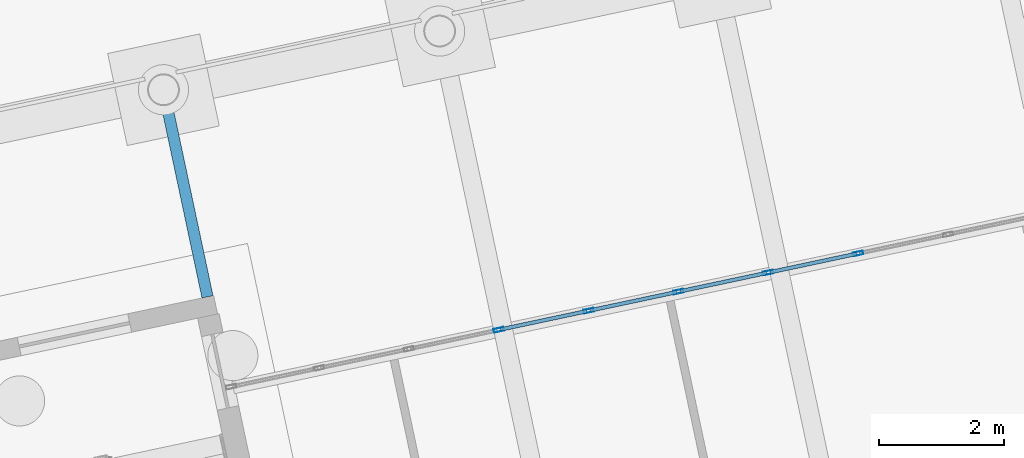
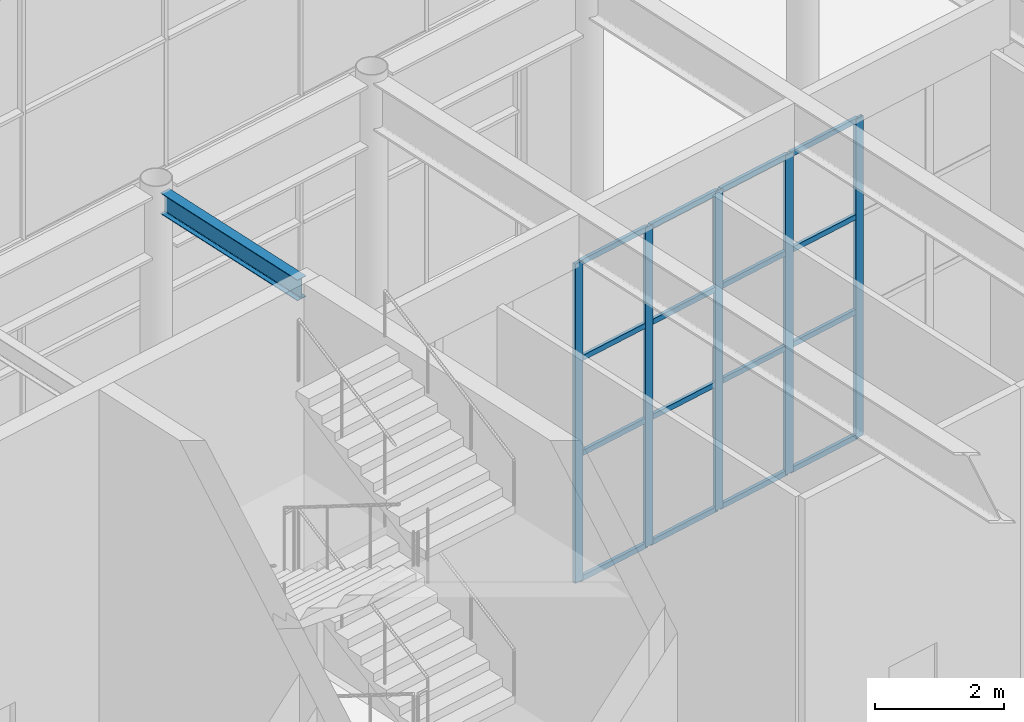
# One storey, part 108 of 239: 21 members, 1 beam, 1 element without a shape of its own.
"""IFC4 building model written with IfcOpenShell, lengths in metres."""

from ifc_helpers import new_model, si_unit, direction, frame, origin, origin_2d, place, context, subcontext, project, spatial, hollow_rectangle, i_section, extrude, material, material_profile, profile_set, type_object, element, aggregate, save


model = new_model("IFC4")

# Units and contexts
model_context = context("Model", 3, precision=1e-05, world=origin(), true_north=direction((0.0, 1.0)))
body_context = subcontext(model_context, "Body", "Model", "MODEL_VIEW")
ifc_project = project(units=[si_unit("LENGTHUNIT", "METRE"), si_unit("AREAUNIT", "SQUARE_METRE"), si_unit("VOLUMEUNIT", "CUBIC_METRE"), si_unit("PLANEANGLEUNIT", "RADIAN"), si_unit("MASSUNIT", "GRAM", prefix="KILO")], contexts=[model_context])

# Site, building, storey
site_placement = place(None, origin())
site = spatial("IfcSite", under=ifc_project, at=site_placement, CompositionType="ELEMENT")
building_placement = place(site_placement, origin())
building = spatial("IfcBuilding", under=site, at=building_placement, Name="Okhra Congress Centre", CompositionType="ELEMENT")
storey_placement = place(building_placement, origin())
storey = spatial("IfcBuildingStorey", under=building, at=storey_placement, Name="L00", CompositionType="ELEMENT", Elevation=0.0)

# Curtain wall, members
ifc_material_1 = material(Name="Aluminium curtain wall, triple glazing", Category="aluminium")
curtain_wall_type = type_object("IfcCurtainWallType", Name="Curtain wall 1500 module", PredefinedType="NOTDEFINED", material=ifc_material_1)
curtain_wall_placement = place(storey_placement, origin())
curtain_wall = element("IfcCurtainWall", 1, at=curtain_wall_placement, inside=storey, type_object=curtain_wall_type, Name="Ground curtain wall N10", PredefinedType="NOTDEFINED")
ifc_material_2 = material(Name="Aluminium alloy EN AW-6063 T66", Category="aluminium")
ifc_material_profile_1 = material_profile(ifc_material_2, hollow_rectangle(XDim=0.06005859375, YDim=0.159912109375, WallThickness=0.00390625, at=origin_2d()), Name="RHS 60x160x4")
ifc_profile_set_1 = profile_set([ifc_material_profile_1], Name="Aluminium alloy EN AW-6063 T66")
member_type_1 = type_object("IfcMemberType", Name="Curtain wall mullion 60x160", PredefinedType="MULLION", material=ifc_profile_set_1)
member_1_placement = place(storey_placement, frame((184.6123046875, 72.654296875, 0.0), z_axis=(0.0, 0.0, 1.0), x_axis=(-0.207911690818, 0.978147600734, 0.0)))
member_1 = element("IfcMember", 2, at=member_1_placement, type_object=member_type_1, Name="CW7 mullion 4", PredefinedType="MULLION", context=body_context, shape_type="SweptSolid", body=[
    extrude(hollow_rectangle(XDim=0.06005859375, YDim=0.159912109375, WallThickness=0.00390625, at=origin_2d()), origin(), (0.0, 0.0, 1.0), 6.050048828125),
])
member_2_placement = place(storey_placement, frame((186.044189453125, 72.95849609375, 0.0), z_axis=(0.0, 0.0, 1.0), x_axis=(-0.207911690818, 0.978147600734, 0.0)))
member_2 = element("IfcMember", 3, at=member_2_placement, type_object=member_type_1, Name="CW7 mullion 5", PredefinedType="MULLION", context=body_context, shape_type="SweptSolid", body=[
    extrude(hollow_rectangle(XDim=0.06005859375, YDim=0.159912109375, WallThickness=0.00390625, at=origin_2d()), origin(), (0.0, 0.0, 1.0), 6.050048828125),
])
member_3_placement = place(storey_placement, frame((187.476318359375, 73.262939453125, 0.0), z_axis=(0.0, 0.0, 1.0), x_axis=(-0.207911690818, 0.978147600734, 0.0)))
member_3 = element("IfcMember", 4, at=member_3_placement, type_object=member_type_1, Name="CW7 mullion 6", PredefinedType="MULLION", context=body_context, shape_type="SweptSolid", body=[
    extrude(hollow_rectangle(XDim=0.06005859375, YDim=0.159912109375, WallThickness=0.00390625, at=origin_2d()), origin(), (0.0, 0.0, 1.0), 6.050048828125),
])
member_4_placement = place(storey_placement, frame((188.908203125, 73.5673828125, 0.0), z_axis=(0.0, 0.0, 1.0), x_axis=(-0.207911690818, 0.978147600734, 0.0)))
member_4 = element("IfcMember", 5, at=member_4_placement, type_object=member_type_1, Name="CW7 mullion 7", PredefinedType="MULLION", context=body_context, shape_type="SweptSolid", body=[
    extrude(hollow_rectangle(XDim=0.06005859375, YDim=0.159912109375, WallThickness=0.00390625, at=origin_2d()), origin(), (0.0, 0.0, 1.0), 6.050048828125),
])
member_5_placement = place(storey_placement, frame((190.34033203125, 73.871826171875, 0.0), z_axis=(0.0, 0.0, 1.0), x_axis=(-0.207911690818, 0.978147600734, 0.0)))
member_5 = element("IfcMember", 6, at=member_5_placement, type_object=member_type_1, Name="CW7 mullion 8", PredefinedType="MULLION", context=body_context, shape_type="SweptSolid", body=[
    extrude(hollow_rectangle(XDim=0.06005859375, YDim=0.159912109375, WallThickness=0.00390625, at=origin_2d()), origin(), (0.0, 0.0, 1.0), 6.050048828125),
])
ifc_material_profile_2 = material_profile(ifc_material_2, hollow_rectangle(XDim=0.06005859375, YDim=0.10009765625, WallThickness=0.00390625, at=origin_2d()), Name="RHS 60x100x4")
ifc_profile_set_2 = profile_set([ifc_material_profile_2], Name="Aluminium alloy EN AW-6063 T66")
member_type_2 = type_object("IfcMemberType", Name="Curtain wall transom 60x100", PredefinedType="USERDEFINED", material=ifc_profile_set_2)
member_6_placement = place(storey_placement, frame((184.6416015625, 72.660400390625, 0.030029296875), z_axis=(0.978134537503, 0.207973138996, 0.0), x_axis=(-0.207973138996, 0.978134537503, 0.0)))
member_6 = element("IfcMember", 7, at=member_6_placement, type_object=member_type_2, Name="CW7 transom 4.1", ObjectType="TRANSOM", PredefinedType="USERDEFINED", context=body_context, shape_type="SweptSolid", body=[
    extrude(hollow_rectangle(XDim=0.06005859375, YDim=0.10009765625, WallThickness=0.00390625, at=origin_2d()), origin(), (0.0, 0.0, 1.0), 1.404052734375),
])
member_7_placement = place(storey_placement, frame((184.6416015625, 72.660400390625, 2.39990234375), z_axis=(0.978134537503, 0.207973138996, 0.0), x_axis=(-0.207973138996, 0.978134537503, 0.0)))
member_7 = element("IfcMember", 8, at=member_7_placement, type_object=member_type_2, Name="CW7 transom 4.2", ObjectType="TRANSOM", PredefinedType="USERDEFINED", context=body_context, shape_type="SweptSolid", body=[
    extrude(hollow_rectangle(XDim=0.06005859375, YDim=0.10009765625, WallThickness=0.00390625, at=origin_2d()), origin(), (0.0, 0.0, 1.0), 1.404052734375),
])
member_8_placement = place(storey_placement, frame((184.6416015625, 72.660400390625, 4.199951171875), z_axis=(0.978134537503, 0.207973138996, 0.0), x_axis=(-0.207973138996, 0.978134537503, 0.0)))
member_8 = element("IfcMember", 9, at=member_8_placement, type_object=member_type_2, Name="CW7 transom 4.3", ObjectType="TRANSOM", PredefinedType="USERDEFINED", context=body_context, shape_type="SweptSolid", body=[
    extrude(hollow_rectangle(XDim=0.06005859375, YDim=0.10009765625, WallThickness=0.00390625, at=origin_2d()), origin(), (0.0, 0.0, 1.0), 1.404052734375),
])
member_9_placement = place(storey_placement, frame((184.6416015625, 72.660400390625, 6.02001953125), z_axis=(0.978134537503, 0.207973138996, 0.0), x_axis=(-0.207973138996, 0.978134537503, 0.0)))
member_9 = element("IfcMember", 10, at=member_9_placement, type_object=member_type_2, Name="CW7 transom 4.4", ObjectType="TRANSOM", PredefinedType="USERDEFINED", context=body_context, shape_type="SweptSolid", body=[
    extrude(hollow_rectangle(XDim=0.06005859375, YDim=0.10009765625, WallThickness=0.00390625, at=origin_2d()), origin(), (0.0, 0.0, 1.0), 1.404052734375),
])
member_10_placement = place(storey_placement, frame((186.07373046875, 72.96484375, 0.030029296875), z_axis=(0.978134537503, 0.207973138996, 0.0), x_axis=(-0.207973138996, 0.978134537503, 0.0)))
member_10 = element("IfcMember", 11, at=member_10_placement, type_object=member_type_2, Name="CW7 transom 5.1", ObjectType="TRANSOM", PredefinedType="USERDEFINED", context=body_context, shape_type="SweptSolid", body=[
    extrude(hollow_rectangle(XDim=0.06005859375, YDim=0.10009765625, WallThickness=0.00390625, at=origin_2d()), origin(), (0.0, 0.0, 1.0), 1.404052734375),
])
member_11_placement = place(storey_placement, frame((186.07373046875, 72.96484375, 2.39990234375), z_axis=(0.978134537503, 0.207973138996, 0.0), x_axis=(-0.207973138996, 0.978134537503, 0.0)))
member_11 = element("IfcMember", 12, at=member_11_placement, type_object=member_type_2, Name="CW7 transom 5.2", ObjectType="TRANSOM", PredefinedType="USERDEFINED", context=body_context, shape_type="SweptSolid", body=[
    extrude(hollow_rectangle(XDim=0.06005859375, YDim=0.10009765625, WallThickness=0.00390625, at=origin_2d()), origin(), (0.0, 0.0, 1.0), 1.404052734375),
])
member_12_placement = place(storey_placement, frame((186.07373046875, 72.96484375, 4.199951171875), z_axis=(0.978134537503, 0.207973138996, 0.0), x_axis=(-0.207973138996, 0.978134537503, 0.0)))
member_12 = element("IfcMember", 13, at=member_12_placement, type_object=member_type_2, Name="CW7 transom 5.3", ObjectType="TRANSOM", PredefinedType="USERDEFINED", context=body_context, shape_type="SweptSolid", body=[
    extrude(hollow_rectangle(XDim=0.06005859375, YDim=0.10009765625, WallThickness=0.00390625, at=origin_2d()), origin(), (0.0, 0.0, 1.0), 1.404052734375),
])
member_13_placement = place(storey_placement, frame((186.07373046875, 72.96484375, 6.02001953125), z_axis=(0.978134537503, 0.207973138996, 0.0), x_axis=(-0.207973138996, 0.978134537503, 0.0)))
member_13 = element("IfcMember", 14, at=member_13_placement, type_object=member_type_2, Name="CW7 transom 5.4", ObjectType="TRANSOM", PredefinedType="USERDEFINED", context=body_context, shape_type="SweptSolid", body=[
    extrude(hollow_rectangle(XDim=0.06005859375, YDim=0.10009765625, WallThickness=0.00390625, at=origin_2d()), origin(), (0.0, 0.0, 1.0), 1.404052734375),
])
member_14_placement = place(storey_placement, frame((187.505615234375, 73.269287109375, 0.030029296875), z_axis=(0.978169898448, 0.207806760648, 0.0), x_axis=(-0.207806760648, 0.978169898448, 0.0)))
member_14 = element("IfcMember", 15, at=member_14_placement, type_object=member_type_2, Name="CW7 transom 6.1", ObjectType="TRANSOM", PredefinedType="USERDEFINED", context=body_context, shape_type="SweptSolid", body=[
    extrude(hollow_rectangle(XDim=0.06005859375, YDim=0.10009765625, WallThickness=0.00390625, at=origin_2d()), origin(), (0.0, 0.0, 1.0), 1.404052734375),
])
member_15_placement = place(storey_placement, frame((187.505615234375, 73.269287109375, 2.39990234375), z_axis=(0.978169898448, 0.207806760648, 0.0), x_axis=(-0.207806760648, 0.978169898448, 0.0)))
member_15 = element("IfcMember", 16, at=member_15_placement, type_object=member_type_2, Name="CW7 transom 6.2", ObjectType="TRANSOM", PredefinedType="USERDEFINED", context=body_context, shape_type="SweptSolid", body=[
    extrude(hollow_rectangle(XDim=0.06005859375, YDim=0.10009765625, WallThickness=0.00390625, at=origin_2d()), origin(), (0.0, 0.0, 1.0), 1.404052734375),
])
member_16_placement = place(storey_placement, frame((187.505615234375, 73.269287109375, 4.199951171875), z_axis=(0.978169898448, 0.207806760648, 0.0), x_axis=(-0.207806760648, 0.978169898448, 0.0)))
member_16 = element("IfcMember", 17, at=member_16_placement, type_object=member_type_2, Name="CW7 transom 6.3", ObjectType="TRANSOM", PredefinedType="USERDEFINED", context=body_context, shape_type="SweptSolid", body=[
    extrude(hollow_rectangle(XDim=0.06005859375, YDim=0.10009765625, WallThickness=0.00390625, at=origin_2d()), origin(), (0.0, 0.0, 1.0), 1.404052734375),
])
member_17_placement = place(storey_placement, frame((187.505615234375, 73.269287109375, 6.02001953125), z_axis=(0.978169898448, 0.207806760648, 0.0), x_axis=(-0.207806760648, 0.978169898448, 0.0)))
member_17 = element("IfcMember", 18, at=member_17_placement, type_object=member_type_2, Name="CW7 transom 6.4", ObjectType="TRANSOM", PredefinedType="USERDEFINED", context=body_context, shape_type="SweptSolid", body=[
    extrude(hollow_rectangle(XDim=0.06005859375, YDim=0.10009765625, WallThickness=0.00390625, at=origin_2d()), origin(), (0.0, 0.0, 1.0), 1.404052734375),
])
member_18_placement = place(storey_placement, frame((188.937744140625, 73.573486328125, 0.030029296875), z_axis=(0.978134537503, 0.207973138996, 0.0), x_axis=(-0.207973138996, 0.978134537503, 0.0)))
member_18 = element("IfcMember", 19, at=member_18_placement, type_object=member_type_2, Name="CW7 transom 7.1", ObjectType="TRANSOM", PredefinedType="USERDEFINED", context=body_context, shape_type="SweptSolid", body=[
    extrude(hollow_rectangle(XDim=0.06005859375, YDim=0.10009765625, WallThickness=0.00390625, at=origin_2d()), origin(), (0.0, 0.0, 1.0), 1.404052734375),
])
member_19_placement = place(storey_placement, frame((188.937744140625, 73.573486328125, 2.39990234375), z_axis=(0.978134537503, 0.207973138996, 0.0), x_axis=(-0.207973138996, 0.978134537503, 0.0)))
member_19 = element("IfcMember", 20, at=member_19_placement, type_object=member_type_2, Name="CW7 transom 7.2", ObjectType="TRANSOM", PredefinedType="USERDEFINED", context=body_context, shape_type="SweptSolid", body=[
    extrude(hollow_rectangle(XDim=0.06005859375, YDim=0.10009765625, WallThickness=0.00390625, at=origin_2d()), origin(), (0.0, 0.0, 1.0), 1.404052734375),
])
member_20_placement = place(storey_placement, frame((188.937744140625, 73.573486328125, 4.199951171875), z_axis=(0.978134537503, 0.207973138996, 0.0), x_axis=(-0.207973138996, 0.978134537503, 0.0)))
member_20 = element("IfcMember", 21, at=member_20_placement, type_object=member_type_2, Name="CW7 transom 7.3", ObjectType="TRANSOM", PredefinedType="USERDEFINED", context=body_context, shape_type="SweptSolid", body=[
    extrude(hollow_rectangle(XDim=0.06005859375, YDim=0.10009765625, WallThickness=0.00390625, at=origin_2d()), origin(), (0.0, 0.0, 1.0), 1.404052734375),
])
member_21_placement = place(storey_placement, frame((188.937744140625, 73.573486328125, 6.02001953125), z_axis=(0.978134537503, 0.207973138996, 0.0), x_axis=(-0.207973138996, 0.978134537503, 0.0)))
member_21 = element("IfcMember", 22, at=member_21_placement, type_object=member_type_2, Name="CW7 transom 7.4", ObjectType="TRANSOM", PredefinedType="USERDEFINED", context=body_context, shape_type="SweptSolid", body=[
    extrude(hollow_rectangle(XDim=0.06005859375, YDim=0.10009765625, WallThickness=0.00390625, at=origin_2d()), origin(), (0.0, 0.0, 1.0), 1.404052734375),
])
aggregate(curtain_wall, [member_1, member_2, member_3, member_4, member_5, member_6, member_7, member_8, member_9, member_10, member_11, member_12, member_13, member_14, member_15, member_16, member_17, member_18, member_19, member_20, member_21])

# Beam
ifc_material_3 = material(Name="Steel S355J2", Category="steel")
ifc_material_profile_3 = material_profile(ifc_material_3, i_section(OverallWidth=0.179931640625, OverallDepth=0.39990234375, WebThickness=0.008544921875, FlangeThickness=0.013427734375, FilletRadius=0.02099609375, at=origin_2d()), Name="IPE 400")
ifc_profile_set_3 = profile_set([ifc_material_profile_3], Name="Steel S355J2")
beam_type = type_object("IfcBeamType", Name="Floor beam stub IPE 400", PredefinedType="BEAM", material=ifc_profile_set_3)
beam_placement = place(storey_placement, frame((179.969482421875, 73.180419921875, 6.85009765625), z_axis=(-0.207916691923, 0.978146537703, 0.0), x_axis=(-0.978146537703, -0.207916691923, 0.0)))
element("IfcBeam", 23, at=beam_placement, inside=storey, type_object=beam_type, Name="Floor beam 28.2", PredefinedType="BEAM", context=body_context, shape_type="SweptSolid", body=[
    extrude(i_section(OverallWidth=0.179931640625, OverallDepth=0.39990234375, WebThickness=0.008544921875, FlangeThickness=0.013427734375, FilletRadius=0.02099609375, at=origin_2d()), origin(), (0.0, 0.0, 1.0), 3.175048828125),
])

save(model, "model.ifc")
